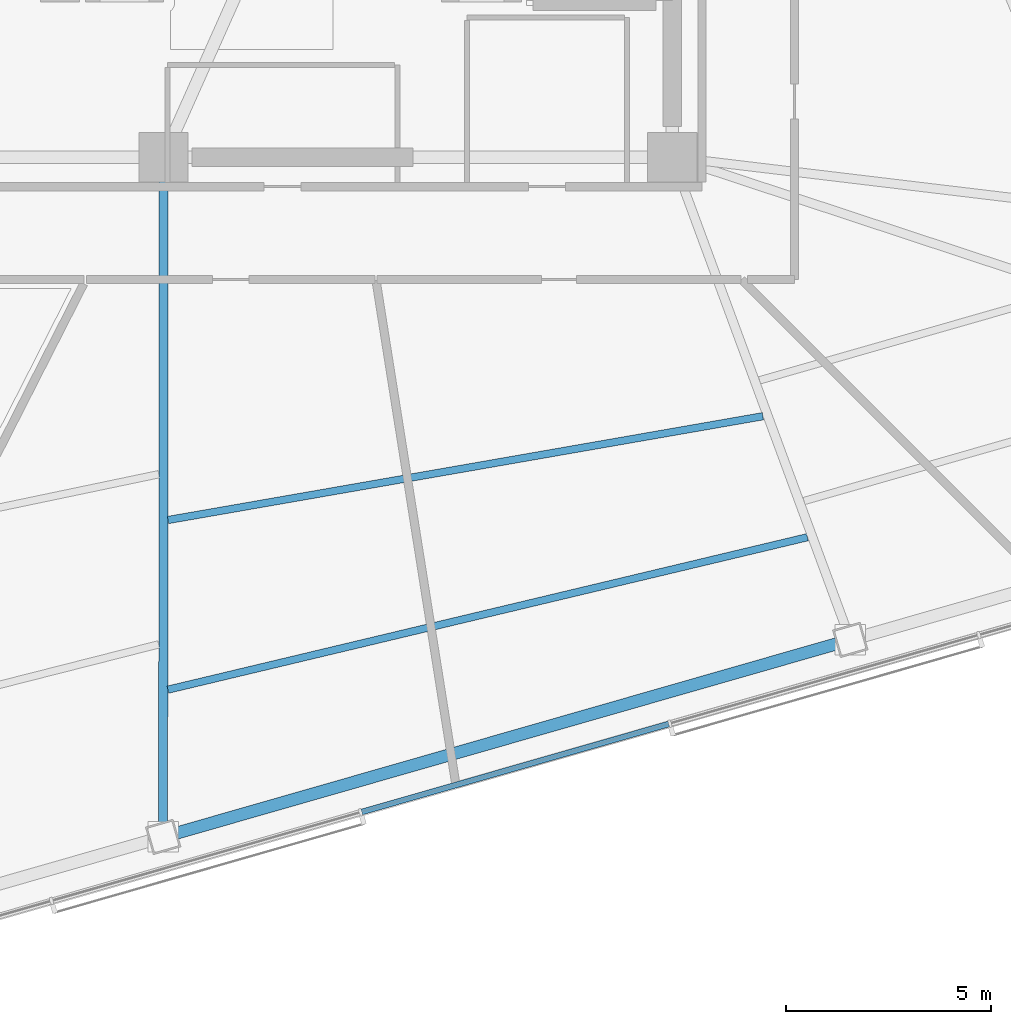
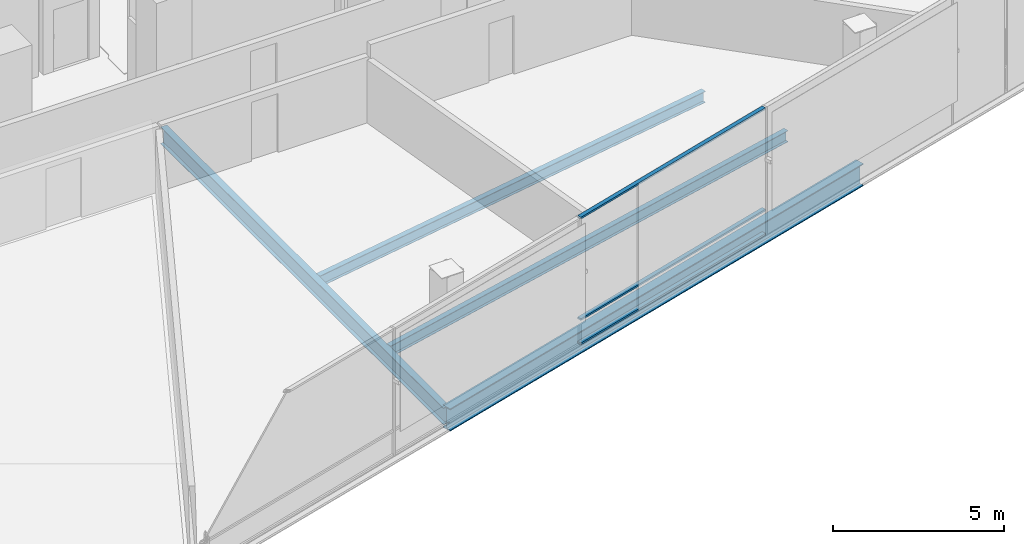
# One storey, part 3 of 18: 4 beams, 3 members, 1 element without a shape of its own.
"""IFC4 building model written with IfcOpenShell, lengths in metres."""

from ifc_helpers import new_model, si_unit, direction, frame, origin, origin_2d, place, context, subcontext, project, spatial, rectangle, i_section, extrude, material, layer, layer_set, material_profile, profile_set, type_object, element, aggregate, save


model = new_model("IFC4")

# Units and contexts
model_context = context("Model", 3, precision=1e-05, world=origin(), true_north=direction((0.0, 1.0)))
body_context = subcontext(model_context, "Body", "Model", "MODEL_VIEW")
ifc_project = project(units=[si_unit("LENGTHUNIT", "METRE"), si_unit("AREAUNIT", "SQUARE_METRE"), si_unit("VOLUMEUNIT", "CUBIC_METRE"), si_unit("PLANEANGLEUNIT", "RADIAN"), si_unit("MASSUNIT", "GRAM", prefix="KILO")], contexts=[model_context])

# Site, building, storey
site_placement = place(None, origin())
site = spatial("IfcSite", under=ifc_project, at=site_placement, CompositionType="ELEMENT")
building_placement = place(site_placement, origin())
building = spatial("IfcBuilding", under=site, at=building_placement, Name="Tharavind Bronze Gate", CompositionType="ELEMENT")
storey_placement = place(building_placement, frame((0.0, 0.0, 107.699951171875)))
storey = spatial("IfcBuildingStorey", under=building, at=storey_placement, Name="L27", CompositionType="ELEMENT", Elevation=107.699951171875)

# Curtain wall, members
ifc_material_1 = material(Name="Anodised Bronze Aluminium", Category="aluminium")
ifc_layer = layer(ifc_material_1, 0.219970703125)
ifc_layer_set = layer_set([ifc_layer], Name="Anodised Bronze Aluminium")
curtain_wall_type = type_object("IfcCurtainWallType", Name="UNITISED CURTAIN WALL LOWER OFFICE", PredefinedType="USERDEFINED", material=ifc_layer_set)
curtain_wall_placement = place(storey_placement, origin())
curtain_wall = element("IfcCurtainWall", 1, at=curtain_wall_placement, inside=storey, type_object=curtain_wall_type, Name="L27 unitised curtain wall lower office CW-L27-S2", ObjectType="UNITISED CURTAIN WALL", PredefinedType="USERDEFINED")
member_type = type_object("IfcMemberType", Name="CURTAIN WALL BRONZE TRANSOM 65X140", PredefinedType="USERDEFINED", material=ifc_material_1)
member_1_placement = place(storey_placement, frame((5.07177734375, -22.487060546875, 0.0), z_axis=(0.0, 0.0, 1.0), x_axis=(0.961261695938, 0.275637355817, 0.0)))
member_1 = element("IfcMember", 2, at=member_1_placement, type_object=member_type, Name="CW-L27-S2 transom TB4", ObjectType="TRANSOM", PredefinedType="USERDEFINED", context=body_context, shape_type="SweptSolid", body=[
    extrude(rectangle(XDim=7.7841796875, YDim=0.139892578125, at=origin_2d()), origin(), (0.0, 0.0, 1.0), 0.06494140625),
])
member_2_placement = place(storey_placement, frame((5.07177734375, -22.487060546875, 0.86767578125), z_axis=(0.0, 0.0, 1.0), x_axis=(0.961261695938, 0.275637355817, 0.0)))
member_2 = element("IfcMember", 3, at=member_2_placement, type_object=member_type, Name="CW-L27-S2 transom TS4", ObjectType="TRANSOM", PredefinedType="USERDEFINED", context=body_context, shape_type="SweptSolid", body=[
    extrude(rectangle(XDim=7.7841796875, YDim=0.139892578125, at=origin_2d()), origin(), (0.0, 0.0, 1.0), 0.06494140625),
])
member_3_placement = place(storey_placement, frame((5.07177734375, -22.487060546875, 4.4951171875), z_axis=(0.0, 0.0, 1.0), x_axis=(0.961261695938, 0.275637355817, 0.0)))
member_3 = element("IfcMember", 4, at=member_3_placement, type_object=member_type, Name="CW-L27-S2 transom TT4", ObjectType="TRANSOM", PredefinedType="USERDEFINED", context=body_context, shape_type="SweptSolid", body=[
    extrude(rectangle(XDim=7.7841796875, YDim=0.139892578125, at=origin_2d()), origin(), (0.0, 0.0, 1.0), 0.06494140625),
])
aggregate(curtain_wall, [member_1, member_2, member_3])

# Beams
ifc_material_2 = material(Name="Steel S355", Category="steel")
ifc_material_profile_1 = material_profile(ifc_material_2, i_section(OverallWidth=0.219970703125, OverallDepth=0.60009765625, WebThickness=0.011962890625, FlangeThickness=0.01904296875, at=origin_2d()), Name="IPE600")
ifc_profile_set_1 = profile_set([ifc_material_profile_1], Name="Steel S355")
beam_type_1 = type_object("IfcBeamType", Name="PRIMARY GIRDER IPE600", PredefinedType="USERDEFINED", material=ifc_profile_set_1)
beam_1_placement = place(storey_placement, frame((-3.5078125, -24.1669921875, -0.489990234375), z_axis=(0.000471572938, 0.999999888809, 0.0), x_axis=(-0.999999888809, 0.000471572938, 0.0)))
element("IfcBeam", 5, at=beam_1_placement, inside=storey, type_object=beam_type_1, Name="L27 primary girder ipe600 BM-L27-RAD06", ObjectType="GIRDER", PredefinedType="USERDEFINED", context=body_context, shape_type="SweptSolid", body=[
    extrude(i_section(OverallWidth=0.219970703125, OverallDepth=0.60009765625, WebThickness=0.011962890625, FlangeThickness=0.01904296875, at=origin_2d()), origin(), (0.0, 0.0, 1.0), 16.56689453125),
])
ifc_material_profile_2 = material_profile(ifc_material_2, i_section(OverallWidth=0.300048828125, OverallDepth=0.800048828125, WebThickness=0.017578125, FlangeThickness=0.032958984375, at=origin_2d()), Name="HE800B")
ifc_profile_set_2 = profile_set([ifc_material_profile_2], Name="Steel S355")
beam_type_2 = type_object("IfcBeamType", Name="RING GIRDER HE800B", PredefinedType="USERDEFINED", material=ifc_profile_set_2)
beam_2_placement = place(storey_placement, frame((-3.5078125, -24.1669921875, -0.58984375), z_axis=(0.961261198388, 0.275639090974, 0.0), x_axis=(-0.275639090974, 0.961261198388, 0.0)))
element("IfcBeam", 6, at=beam_2_placement, inside=storey, type_object=beam_type_2, Name="L27 ring girder he800b BM-L27-PRG06", ObjectType="GIRDER", PredefinedType="USERDEFINED", context=body_context, shape_type="SweptSolid", body=[
    extrude(i_section(OverallWidth=0.300048828125, OverallDepth=0.800048828125, WebThickness=0.017578125, FlangeThickness=0.032958984375, at=origin_2d()), origin(), (0.0, 0.0, 1.0), 17.42041015625),
])
ifc_material_profile_3 = material_profile(ifc_material_2, i_section(OverallWidth=0.179931640625, OverallDepth=0.39990234375, WebThickness=0.008544921875, FlangeThickness=0.013427734375, at=origin_2d()), Name="IPE400")
ifc_profile_set_3 = profile_set([ifc_material_profile_3], Name="Steel S355")
beam_type_3 = type_object("IfcBeamType", Name="SECONDARY FLOOR JOIST IPE400", PredefinedType="JOIST", material=ifc_profile_set_3)
beam_3_placement = place(storey_placement, frame((-3.390380859375, -16.443603515625, -0.389892578125), z_axis=(0.985119071956, 0.171873250008, 0.0), x_axis=(-0.171873250008, 0.985119071956, 0.0)))
element("IfcBeam", 7, at=beam_3_placement, inside=storey, type_object=beam_type_3, Name="L27 secondary floor joist ipe400 BM-L27-JSTA06", PredefinedType="JOIST", context=body_context, shape_type="SweptSolid", body=[
    extrude(i_section(OverallWidth=0.179931640625, OverallDepth=0.39990234375, WebThickness=0.008544921875, FlangeThickness=0.013427734375, at=origin_2d()), origin(), (0.0, 0.0, 1.0), 14.716064453125),
])
beam_4_placement = place(storey_placement, frame((-3.392333984375, -20.577880859375, -0.389892578125), z_axis=(0.972740944014, 0.231894492903, 0.0), x_axis=(-0.231894492903, 0.972740944014, 0.0)))
element("IfcBeam", 8, at=beam_4_placement, inside=storey, type_object=beam_type_3, Name="L27 secondary floor joist ipe400 BM-L27-JSTB06", PredefinedType="JOIST", context=body_context, shape_type="SweptSolid", body=[
    extrude(i_section(OverallWidth=0.179931640625, OverallDepth=0.39990234375, WebThickness=0.008544921875, FlangeThickness=0.013427734375, at=origin_2d()), origin(), (0.0, 0.0, 1.0), 16.022705078125),
])

save(model, "model.ifc")
